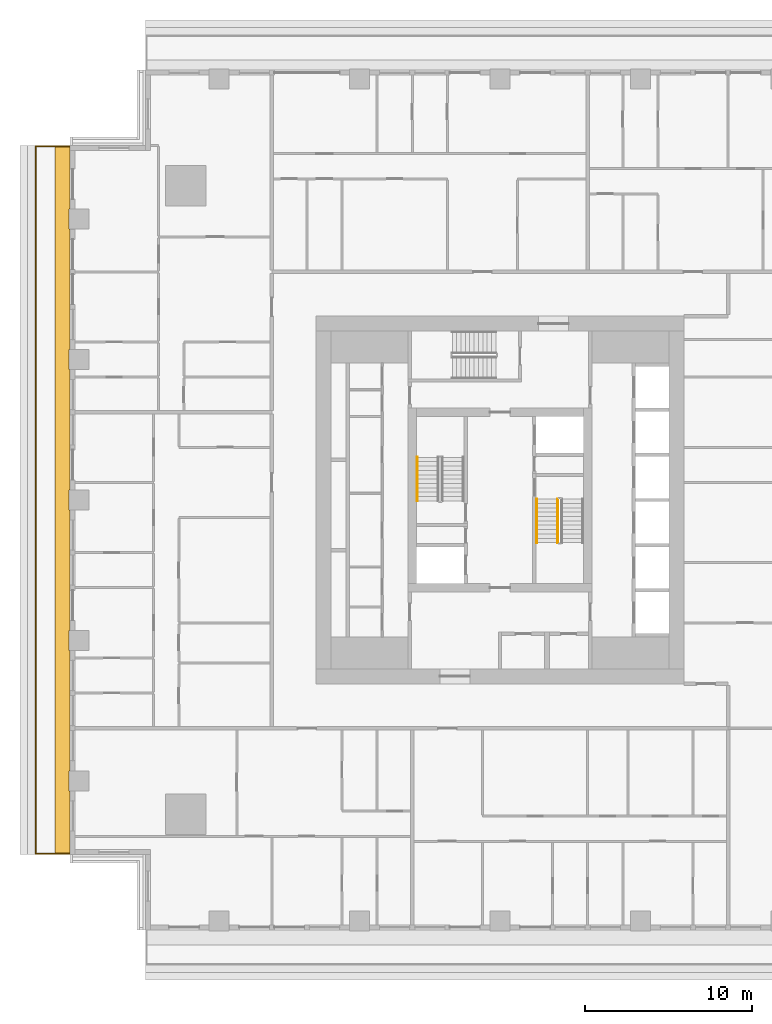
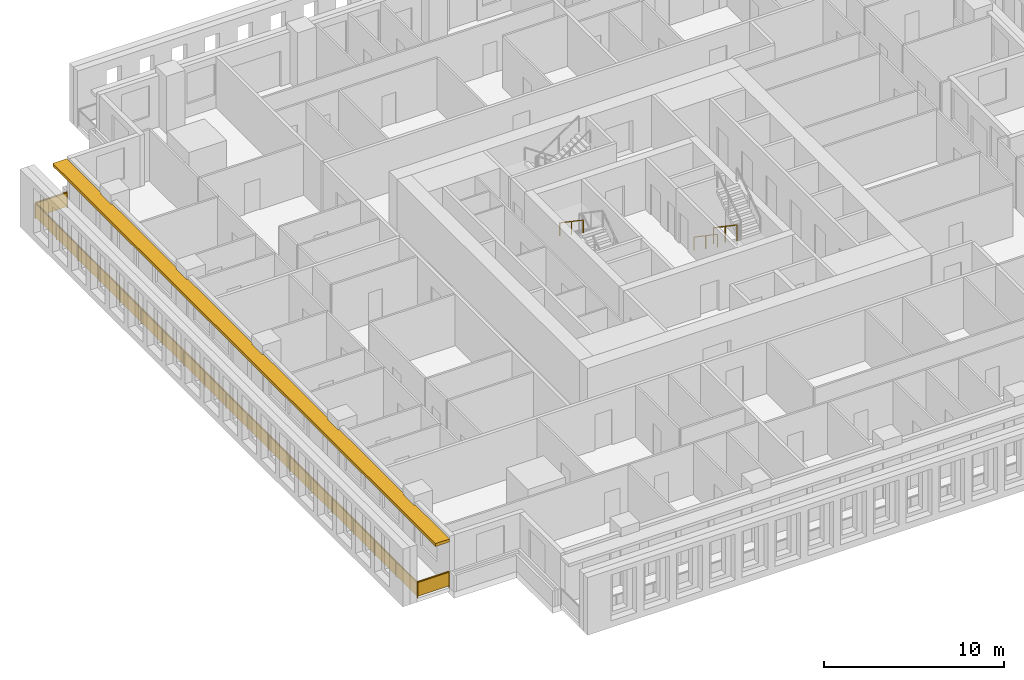
# One storey, part 13 of 17: 4 railings, 1 shading device.
"""IFC4 building model written with IfcOpenShell, lengths in metres."""

from ifc_helpers import new_model, si_unit, direction, frame, origin, origin_2d, place, context, subcontext, project, spatial, polyline, rectangle, outline, extrude, material, layer, layer_set, type_object, element, save


model = new_model("IFC4")

# Units and contexts
model_context = context("Model", 3, precision=1e-05, world=origin(), true_north=direction((0.0, 1.0)))
body_context = subcontext(model_context, "Body", "Model", "MODEL_VIEW")
ifc_project = project(units=[si_unit("LENGTHUNIT", "METRE"), si_unit("AREAUNIT", "SQUARE_METRE"), si_unit("VOLUMEUNIT", "CUBIC_METRE"), si_unit("PLANEANGLEUNIT", "RADIAN"), si_unit("MASSUNIT", "GRAM", prefix="KILO")], contexts=[model_context])

# Site, building, storey
site_placement = place(None, origin())
site = spatial("IfcSite", under=ifc_project, at=site_placement, CompositionType="ELEMENT")
building_placement = place(site_placement, origin())
building = spatial("IfcBuilding", under=site, at=building_placement, Name="Khepri Terraces", CompositionType="ELEMENT")
storey_placement = place(building_placement, frame((0.0, 0.0, 188.39990234375)))
storey = spatial("IfcBuildingStorey", under=building, at=storey_placement, Name="L44", CompositionType="ELEMENT", Elevation=188.39990234375)

# Railings
ifc_material_1 = material(Name="Stainless steel grade 316", Category="steel")
railing_type_1 = type_object("IfcRailingType", Name="GRD-BAL-1100", PredefinedType="GUARDRAIL", material=ifc_material_1)
railing_1_placement = place(storey_placement, frame((-25.719970703125, 21.169921875, 0.0)))
element("IfcRailing", 1, at=railing_1_placement, inside=storey, type_object=railing_type_1, Name="Balcony guard L44 W", PredefinedType="GUARDRAIL", context=body_context, shape_type="SweptSolid", body=[
    extrude(rectangle(XDim=0.050048828125, YDim=0.06005859375, at=origin_2d()), frame((0.0, 0.0, 1.070068359375), z_axis=(-1.0, 0.0, 0.0), x_axis=(0.0, -1.0, 0.0)), (0.0, 0.0, 1.0), 2.050048828125),
    extrude(rectangle(XDim=2.0, YDim=0.011962890625, at=origin_2d()), frame((-1.02490234375, 0.0, 0.10009765625), z_axis=(0.0, 0.0, 1.0), x_axis=(-1.0, 0.0, 0.0)), (0.0, 0.0, 1.0), 0.93994140625),
    extrude(rectangle(XDim=0.050048828125, YDim=0.06005859375, at=origin_2d()), frame((-2.050048828125, 0.0, 1.070068359375), z_axis=(0.0, -1.0, 0.0), x_axis=(1.0, 0.0, 0.0)), (0.0, 0.0, 1.0), 42.33984375),
    extrude(rectangle(XDim=2.30224609375, YDim=0.011962890625, at=origin_2d()), frame((-2.050048828125, -1.176025390625, 0.10009765625), z_axis=(0.0, 0.0, 1.0), x_axis=(0.0, -1.0, 0.0)), (0.0, 0.0, 1.0), 0.93994140625),
    extrude(rectangle(XDim=2.30224609375, YDim=0.011962890625, at=origin_2d()), frame((-2.050048828125, -3.5283203125, 0.10009765625), z_axis=(0.0, 0.0, 1.0), x_axis=(0.0, -1.0, 0.0)), (0.0, 0.0, 1.0), 0.93994140625),
    extrude(rectangle(XDim=2.30224609375, YDim=0.011962890625, at=origin_2d()), frame((-2.050048828125, -5.880615234375, 0.10009765625), z_axis=(0.0, 0.0, 1.0), x_axis=(0.0, -1.0, 0.0)), (0.0, 0.0, 1.0), 0.93994140625),
    extrude(rectangle(XDim=2.30224609375, YDim=0.011962890625, at=origin_2d()), frame((-2.050048828125, -8.232666015625, 0.10009765625), z_axis=(0.0, 0.0, 1.0), x_axis=(0.0, -1.0, 0.0)), (0.0, 0.0, 1.0), 0.93994140625),
    extrude(rectangle(XDim=2.30224609375, YDim=0.011962890625, at=origin_2d()), frame((-2.050048828125, -10.5849609375, 0.10009765625), z_axis=(0.0, 0.0, 1.0), x_axis=(0.0, -1.0, 0.0)), (0.0, 0.0, 1.0), 0.93994140625),
    extrude(rectangle(XDim=2.30224609375, YDim=0.011962890625, at=origin_2d()), frame((-2.050048828125, -12.937255859375, 0.10009765625), z_axis=(0.0, 0.0, 1.0), x_axis=(0.0, -1.0, 0.0)), (0.0, 0.0, 1.0), 0.93994140625),
    extrude(rectangle(XDim=2.30224609375, YDim=0.011962890625, at=origin_2d()), frame((-2.050048828125, -15.289306640625, 0.10009765625), z_axis=(0.0, 0.0, 1.0), x_axis=(0.0, -1.0, 0.0)), (0.0, 0.0, 1.0), 0.93994140625),
    extrude(rectangle(XDim=2.30224609375, YDim=0.011962890625, at=origin_2d()), frame((-2.050048828125, -17.6416015625, 0.10009765625), z_axis=(0.0, 0.0, 1.0), x_axis=(0.0, -1.0, 0.0)), (0.0, 0.0, 1.0), 0.93994140625),
    extrude(rectangle(XDim=2.30224609375, YDim=0.011962890625, at=origin_2d()), frame((-2.050048828125, -19.993896484375, 0.10009765625), z_axis=(0.0, 0.0, 1.0), x_axis=(0.0, -1.0, 0.0)), (0.0, 0.0, 1.0), 0.93994140625),
    extrude(rectangle(XDim=2.30224609375, YDim=0.011962890625, at=origin_2d()), frame((-2.050048828125, -22.345947265625, 0.10009765625), z_axis=(0.0, 0.0, 1.0), x_axis=(0.0, -1.0, 0.0)), (0.0, 0.0, 1.0), 0.93994140625),
    extrude(rectangle(XDim=2.30224609375, YDim=0.011962890625, at=origin_2d()), frame((-2.050048828125, -24.6982421875, 0.10009765625), z_axis=(0.0, 0.0, 1.0), x_axis=(0.0, -1.0, 0.0)), (0.0, 0.0, 1.0), 0.93994140625),
    extrude(rectangle(XDim=2.30224609375, YDim=0.011962890625, at=origin_2d()), frame((-2.050048828125, -27.050537109375, 0.10009765625), z_axis=(0.0, 0.0, 1.0), x_axis=(0.0, -1.0, 0.0)), (0.0, 0.0, 1.0), 0.93994140625),
    extrude(rectangle(XDim=2.30224609375, YDim=0.011962890625, at=origin_2d()), frame((-2.050048828125, -29.402587890625, 0.10009765625), z_axis=(0.0, 0.0, 1.0), x_axis=(0.0, -1.0, 0.0)), (0.0, 0.0, 1.0), 0.93994140625),
    extrude(rectangle(XDim=2.30224609375, YDim=0.011962890625, at=origin_2d()), frame((-2.050048828125, -31.7548828125, 0.10009765625), z_axis=(0.0, 0.0, 1.0), x_axis=(0.0, -1.0, 0.0)), (0.0, 0.0, 1.0), 0.93994140625),
    extrude(rectangle(XDim=2.30224609375, YDim=0.011962890625, at=origin_2d()), frame((-2.050048828125, -34.107177734375, 0.10009765625), z_axis=(0.0, 0.0, 1.0), x_axis=(0.0, -1.0, 0.0)), (0.0, 0.0, 1.0), 0.93994140625),
    extrude(rectangle(XDim=2.30224609375, YDim=0.011962890625, at=origin_2d()), frame((-2.050048828125, -36.459228515625, 0.10009765625), z_axis=(0.0, 0.0, 1.0), x_axis=(0.0, -1.0, 0.0)), (0.0, 0.0, 1.0), 0.93994140625),
    extrude(rectangle(XDim=2.30224609375, YDim=0.011962890625, at=origin_2d()), frame((-2.050048828125, -38.8115234375, 0.10009765625), z_axis=(0.0, 0.0, 1.0), x_axis=(0.0, -1.0, 0.0)), (0.0, 0.0, 1.0), 0.93994140625),
    extrude(rectangle(XDim=2.30224609375, YDim=0.011962890625, at=origin_2d()), frame((-2.050048828125, -41.163818359375, 0.10009765625), z_axis=(0.0, 0.0, 1.0), x_axis=(0.0, -1.0, 0.0)), (0.0, 0.0, 1.0), 0.93994140625),
    extrude(rectangle(XDim=0.050048828125, YDim=0.06005859375, at=origin_2d()), frame((-2.050048828125, -42.33984375, 1.070068359375), z_axis=(1.0, 0.0, 0.0), x_axis=(0.0, 1.0, 0.0)), (0.0, 0.0, 1.0), 2.050048828125),
    extrude(rectangle(XDim=2.0, YDim=0.011962890625, at=origin_2d()), frame((-1.02490234375, -42.33984375, 0.10009765625), z_axis=(0.0, 0.0, 1.0), x_axis=(1.0, 0.0, 0.0)), (0.0, 0.0, 1.0), 0.93994140625),
    extrude(rectangle(XDim=0.050048828125, YDim=0.050048828125, at=origin_2d()), origin(), (0.0, 0.0, 1.0), 1.0400390625),
    extrude(rectangle(XDim=0.050048828125, YDim=0.050048828125, at=origin_2d()), frame((-2.050048828125, 0.0, 0.0)), (0.0, 0.0, 1.0), 1.0400390625),
    extrude(rectangle(XDim=0.050048828125, YDim=0.050048828125, at=origin_2d()), frame((-2.050048828125, -2.352294921875, 0.0)), (0.0, 0.0, 1.0), 1.0400390625),
    extrude(rectangle(XDim=0.050048828125, YDim=0.050048828125, at=origin_2d()), frame((-2.050048828125, -4.704345703125, 0.0)), (0.0, 0.0, 1.0), 1.0400390625),
    extrude(rectangle(XDim=0.050048828125, YDim=0.050048828125, at=origin_2d()), frame((-2.050048828125, -7.056640625, 0.0)), (0.0, 0.0, 1.0), 1.0400390625),
    extrude(rectangle(XDim=0.050048828125, YDim=0.050048828125, at=origin_2d()), frame((-2.050048828125, -9.408935546875, 0.0)), (0.0, 0.0, 1.0), 1.0400390625),
    extrude(rectangle(XDim=0.050048828125, YDim=0.050048828125, at=origin_2d()), frame((-2.050048828125, -11.760986328125, 0.0)), (0.0, 0.0, 1.0), 1.0400390625),
    extrude(rectangle(XDim=0.050048828125, YDim=0.050048828125, at=origin_2d()), frame((-2.050048828125, -14.11328125, 0.0)), (0.0, 0.0, 1.0), 1.0400390625),
    extrude(rectangle(XDim=0.050048828125, YDim=0.050048828125, at=origin_2d()), frame((-2.050048828125, -16.465576171875, 0.0)), (0.0, 0.0, 1.0), 1.0400390625),
    extrude(rectangle(XDim=0.050048828125, YDim=0.050048828125, at=origin_2d()), frame((-2.050048828125, -18.817626953125, 0.0)), (0.0, 0.0, 1.0), 1.0400390625),
    extrude(rectangle(XDim=0.050048828125, YDim=0.050048828125, at=origin_2d()), frame((-2.050048828125, -21.169921875, 0.0)), (0.0, 0.0, 1.0), 1.0400390625),
    extrude(rectangle(XDim=0.050048828125, YDim=0.050048828125, at=origin_2d()), frame((-2.050048828125, -23.522216796875, 0.0)), (0.0, 0.0, 1.0), 1.0400390625),
    extrude(rectangle(XDim=0.050048828125, YDim=0.050048828125, at=origin_2d()), frame((-2.050048828125, -25.874267578125, 0.0)), (0.0, 0.0, 1.0), 1.0400390625),
    extrude(rectangle(XDim=0.050048828125, YDim=0.050048828125, at=origin_2d()), frame((-2.050048828125, -28.2265625, 0.0)), (0.0, 0.0, 1.0), 1.0400390625),
    extrude(rectangle(XDim=0.050048828125, YDim=0.050048828125, at=origin_2d()), frame((-2.050048828125, -30.578857421875, 0.0)), (0.0, 0.0, 1.0), 1.0400390625),
    extrude(rectangle(XDim=0.050048828125, YDim=0.050048828125, at=origin_2d()), frame((-2.050048828125, -32.930908203125, 0.0)), (0.0, 0.0, 1.0), 1.0400390625),
    extrude(rectangle(XDim=0.050048828125, YDim=0.050048828125, at=origin_2d()), frame((-2.050048828125, -35.283203125, 0.0)), (0.0, 0.0, 1.0), 1.0400390625),
    extrude(rectangle(XDim=0.050048828125, YDim=0.050048828125, at=origin_2d()), frame((-2.050048828125, -37.635498046875, 0.0)), (0.0, 0.0, 1.0), 1.0400390625),
    extrude(rectangle(XDim=0.050048828125, YDim=0.050048828125, at=origin_2d()), frame((-2.050048828125, -39.987548828125, 0.0)), (0.0, 0.0, 1.0), 1.0400390625),
    extrude(rectangle(XDim=0.050048828125, YDim=0.050048828125, at=origin_2d()), frame((-2.050048828125, -42.33984375, 0.0)), (0.0, 0.0, 1.0), 1.0400390625),
    extrude(rectangle(XDim=0.050048828125, YDim=0.050048828125, at=origin_2d()), frame((0.0, -42.33984375, 0.0)), (0.0, 0.0, 1.0), 1.0400390625),
])
ifc_material_2 = material(Name="Stainless steel 316", Category="steel")
railing_type_2 = type_object("IfcRailingType", Name="RL-CORE-GUARD", PredefinedType="GUARDRAIL", material=ifc_material_2)
railing_2_placement = place(storey_placement, frame((3.449951171875, 0.050048828125, 0.177490234375)))
element("IfcRailing", 2, at=railing_2_placement, inside=storey, type_object=railing_type_2, Name="L44 ST-2 stair guard 1", PredefinedType="GUARDRAIL", context=body_context, shape_type="SweptSolid", body=[
    extrude(rectangle(XDim=0.050048828125, YDim=0.06005859375, at=origin_2d()), frame((0.0, 0.0, 1.070068359375), z_axis=(0.0, -0.826240473404, 0.563317565952), x_axis=(1.0, 0.0, 0.0)), (0.0, 0.0, 1.0), 3.14697265625),
    extrude(rectangle(XDim=0.050048828125, YDim=0.050048828125, at=origin_2d()), origin(), (0.0, 0.0, 1.0), 1.0400390625),
    extrude(rectangle(XDim=0.050048828125, YDim=0.050048828125, at=origin_2d()), frame((0.0, -1.300048828125, 0.88623046875)), (0.0, 0.0, 1.0), 1.0400390625),
    extrude(rectangle(XDim=0.050048828125, YDim=0.050048828125, at=origin_2d()), frame((0.0, -2.60009765625, 1.772705078125)), (0.0, 0.0, 1.0), 1.0400390625),
])
railing_type_3 = type_object("IfcRailingType", Name="RL-CORE-HANDRAIL", PredefinedType="HANDRAIL", material=ifc_material_2)
for number, where, name in (
    (3, (-4.949951171875, 2.550048828125, 2.12744140625), "L44 ST-1 stair handrail 2"),
    (4, (2.199951171875, 0.050048828125, 0.177490234375), "L44 ST-2 stair handrail 1"),
):
    element("IfcRailing", number, at=place(storey_placement, frame(where)), inside=storey, type_object=railing_type_3, Name=name, PredefinedType="HANDRAIL", context=body_context, shape_type="SweptSolid", body=[
        extrude(rectangle(XDim=0.050048828125, YDim=0.050048828125, at=origin_2d()), frame((0.0, 0.0, 0.875), z_axis=(0.0, -0.826240473404, 0.563317565952), x_axis=(1.0, 0.0, 0.0)), (0.0, 0.0, 1.0), 3.14697265625),
        extrude(rectangle(XDim=0.050048828125, YDim=0.050048828125, at=origin_2d()), origin(), (0.0, 0.0, 1.0), 0.849853515625),
        extrude(rectangle(XDim=0.050048828125, YDim=0.050048828125, at=origin_2d()), frame((0.0, -1.300048828125, 0.88623046875)), (0.0, 0.0, 1.0), 0.849853515625),
        extrude(rectangle(XDim=0.050048828125, YDim=0.050048828125, at=origin_2d()), frame((0.0, -2.60009765625, 1.772705078125)), (0.0, 0.0, 1.0), 0.849853515625),
    ])

# Shading device
ifc_material_3 = material(Name="Precast concrete C50/60 warm stone", Category="masonry")
ifc_layer = layer(ifc_material_3, 0.199951171875, Name="Precast concrete C50/60 warm stone", Category="masonry")
ifc_layer_set = layer_set([ifc_layer], Name="Precast concrete C50/60 warm stone")
shading_device_type = type_object("IfcShadingDeviceType", Name="SSH-BAND-STONE-200", PredefinedType="USERDEFINED", material=ifc_layer_set)
shading_device_placement = place(storey_placement, frame((0.0, 0.0, 3.10009765625)))
element("IfcShadingDevice", 5, at=shading_device_placement, inside=storey, type_object=shading_device_type, Name="Sunshade band L44 W", ObjectType="SUNSHADE", PredefinedType="USERDEFINED", context=body_context, shape_type="SweptSolid", body=[
    extrude(outline(polyline([(-25.719970703125, 17.39990234375), (-25.719970703125, 21.219970703125), (-26.6201171875, 21.219970703125), (-26.6201171875, -21.219970703125), (-25.719970703125, -21.219970703125), (-25.719970703125, -17.39990234375), (-25.800048828125, -17.39990234375), (-25.800048828125, -16.199951171875), (-25.719970703125, -16.199951171875), (-25.719970703125, -9.0), (-25.800048828125, -9.0), (-25.800048828125, -7.800048828125), (-25.719970703125, -7.800048828125), (-25.719970703125, -0.60009765625), (-25.800048828125, -0.60009765625), (-25.800048828125, 0.60009765625), (-25.719970703125, 0.60009765625), (-25.719970703125, 7.800048828125), (-25.800048828125, 7.800048828125), (-25.800048828125, 9.0), (-25.719970703125, 9.0), (-25.719970703125, 16.199951171875), (-25.800048828125, 16.199951171875), (-25.800048828125, 17.39990234375), (-25.719970703125, 17.39990234375)])), origin(), (0.0, 0.0, 1.0), 0.199951171875),
])

save(model, "model.ifc")
